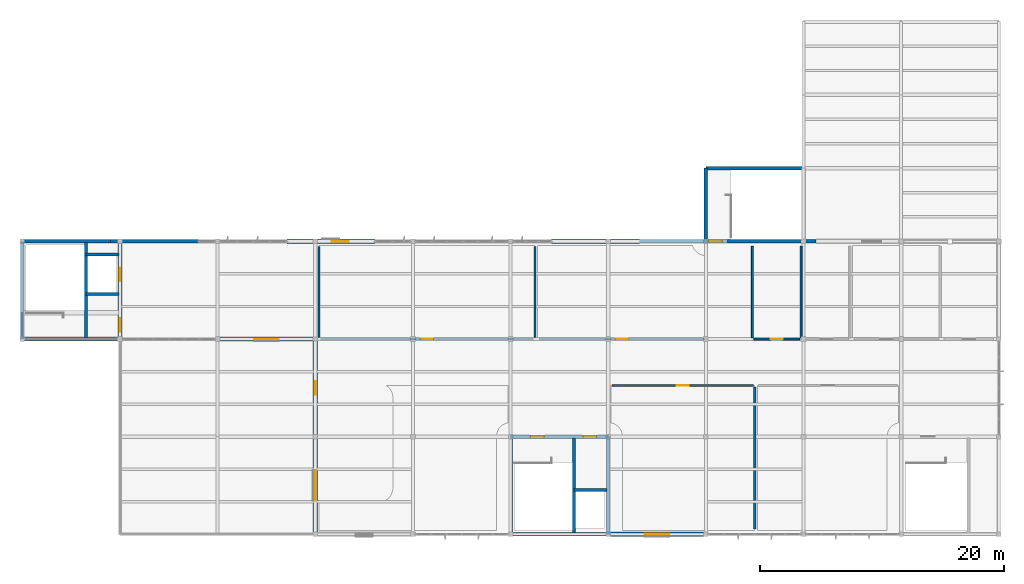
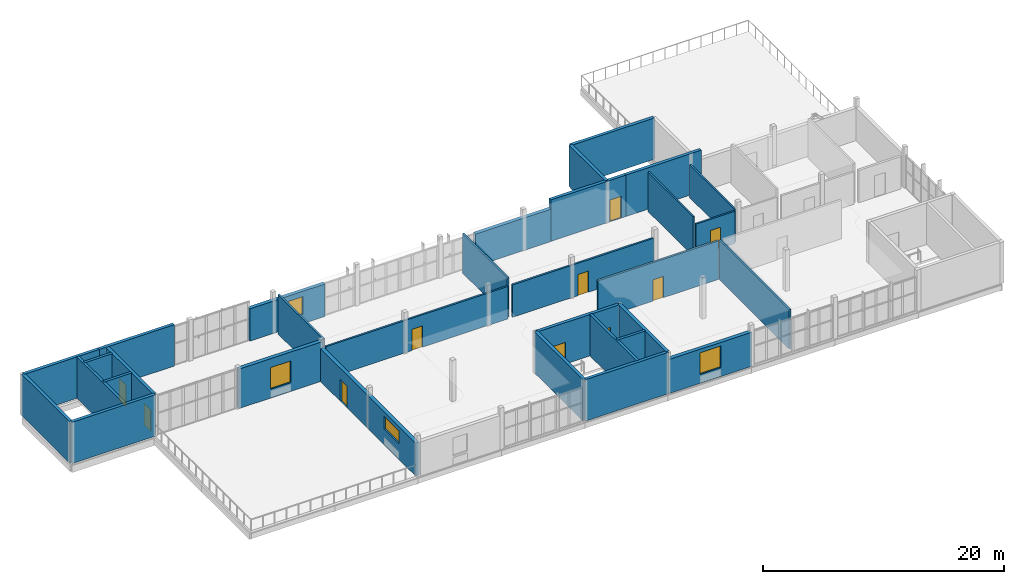
# One storey, part 9 of 15: 33 walls, 10 doors, 4 windows, 14 openings.
"""IFC4 building model written with IfcOpenShell, lengths in metres."""

from ifc_helpers import new_model, si_unit, direction, frame, frame_2d, origin, place, context, subcontext, project, spatial, rectangle, extrude, material, layer, layer_set, type_object, element, fill, save


model = new_model("IFC4")

# Units and contexts
model_context = context("Model", 3, precision=1e-05, world=origin(), true_north=direction((0.0, 1.0)))
body_context = subcontext(model_context, "Body", "Model", "MODEL_VIEW")
ifc_project = project(units=[si_unit("LENGTHUNIT", "METRE"), si_unit("AREAUNIT", "SQUARE_METRE"), si_unit("VOLUMEUNIT", "CUBIC_METRE"), si_unit("PLANEANGLEUNIT", "RADIAN"), si_unit("MASSUNIT", "GRAM", prefix="KILO")], contexts=[model_context])

# Site, building, storey
site_placement = place(None, origin())
site = spatial("IfcSite", under=ifc_project, at=site_placement, CompositionType="ELEMENT")
building_placement = place(site_placement, origin())
building = spatial("IfcBuilding", under=site, at=building_placement, Name="Solvane Community Centre", CompositionType="ELEMENT")
storey_placement = place(building_placement, frame((0.0, 0.0, 18.0)))
storey = spatial("IfcBuildingStorey", under=building, at=storey_placement, Name="L04", CompositionType="ELEMENT", Elevation=18.0)

# Wall, opening, window
ifc_material_1 = material(Name="Precast concrete C35/45", Category="concrete")
ifc_layer_1 = layer(ifc_material_1, 0.35009765625)
ifc_layer_set_1 = layer_set([ifc_layer_1], Name="Precast concrete C35/45")
wall_type_1 = type_object("IfcWallType", Name="Art Deco Limestone Cavity Wall 350mm [72x33dm]", PredefinedType="SOLIDWALL", material=ifc_layer_set_1)
wall_1_placement = place(storey_placement, frame((81.666748046875, 30.0, 0.0), z_axis=(0.0, 0.0, 1.0), x_axis=(1.0, 0.0, 0.0)))
wall_1 = element("IfcWall", 1, at=wall_1_placement, inside=storey, type_object=wall_type_1, Name="Exterior Wall WL-EXT-L04-0165", PredefinedType="SOLIDWALL", context=body_context, shape_type="SweptSolid", body=[
    extrude(rectangle(XDim=7.22216796875, YDim=0.35009765625, at=frame_2d((3.611083984375, 0.0))), origin(), (0.0, 0.0, 1.0), 3.284912109375),
])
opening_1_placement = place(wall_1_placement, frame((3.694091796875, 0.0, 0.949951171875)))
opening_1 = element("IfcOpeningElement", 2, at=opening_1_placement, cuts=wall_1, Name="Opening WN05", PredefinedType="OPENING", context=body_context, shape_type="SweptSolid", body=[
    extrude(rectangle(XDim=1.39990234375, YDim=1.800048828125, at=frame_2d((0.699951171875, 0.89990234375))), frame((0.0, 0.18505859375, 0.0), z_axis=(0.0, -1.0, 0.0), x_axis=(1.0, 0.0, 0.0)), (0.0, 0.0, 1.0), 0.3701171875),
])
ifc_material_2 = material(Name="Tempered low-E double glazing", Category="glass")
window_type_1 = type_object("IfcWindowType", Name="Studio Deep-Reveal Window 1400x1800", PartitioningType="SINGLE_PANEL", PredefinedType="WINDOW", material=ifc_material_2)
window_1_placement = place(opening_1_placement, origin())
window_1 = element("IfcWindow", 3, at=window_1_placement, inside=storey, type_object=window_type_1, Name="L04-W074", OverallHeight=1.800048828125, OverallWidth=1.39990234375, PartitioningType="SINGLE_PANEL", PredefinedType="WINDOW", context=body_context, shape_type="SweptSolid", body=[
    extrude(rectangle(XDim=1.39990234375, YDim=1.800048828125, at=frame_2d((0.699951171875, 0.89990234375))), frame((0.0, 0.030029296875, 0.0), z_axis=(0.0, -1.0, 0.0), x_axis=(1.0, 0.0, 0.0)), (0.0, 0.0, 1.0), 0.06005859375),
])
fill(opening_1, window_1)

# Wall
wall_2_placement = place(storey_placement, frame((103.333251953125, 30.0, 0.0), z_axis=(0.0, 0.0, 1.0), x_axis=(1.0, 0.0, 0.0)))
element("IfcWall", 4, at=wall_2_placement, inside=storey, type_object=wall_type_1, Name="Exterior Wall WL-EXT-L04-0166", PredefinedType="SOLIDWALL", context=body_context, shape_type="SweptSolid", body=[
    extrude(rectangle(XDim=7.222412109375, YDim=0.35009765625, at=frame_2d((3.611328125, 0.0))), origin(), (0.0, 0.0, 1.0), 3.284912109375),
])

# Wall, opening, window
ifc_layer_2 = layer(ifc_material_1, 0.35009765625)
ifc_layer_set_2 = layer_set([ifc_layer_2], Name="Precast concrete C35/45")
wall_type_2 = type_object("IfcWallType", Name="Art Deco Limestone Cavity Wall 350mm [80x33dm]", PredefinedType="SOLIDWALL", material=ifc_layer_set_2)
wall_3_placement = place(storey_placement, frame((84.0, 6.0, 0.0), z_axis=(0.0, 0.0, 1.0), x_axis=(0.0, 1.0, 0.0)))
wall_3 = element("IfcWall", 5, at=wall_3_placement, inside=storey, type_object=wall_type_2, Name="Exterior Wall WL-EXT-L04-0160", PredefinedType="SOLIDWALL", context=body_context, shape_type="SweptSolid", body=[
    extrude(rectangle(XDim=8.0, YDim=0.35009765625, at=frame_2d((4.0, 0.0))), origin(), (0.0, 0.0, 1.0), 3.344970703125),
])
opening_2_placement = place(wall_3_placement, frame((2.75, 0.0, 1.60009765625)))
opening_2 = element("IfcOpeningElement", 6, at=opening_2_placement, cuts=wall_3, Name="Opening WN16", PredefinedType="OPENING", context=body_context, shape_type="SweptSolid", body=[
    extrude(rectangle(XDim=2.5, YDim=1.300048828125, at=frame_2d((1.25, 0.64990234375))), frame((0.0, 0.18505859375, 0.0), z_axis=(0.0, -1.0, 0.0), x_axis=(1.0, 0.0, 0.0)), (0.0, 0.0, 1.0), 0.3701171875),
])
window_type_2 = type_object("IfcWindowType", Name="Cloister Clerestory Window 2500x1300", PartitioningType="DOUBLE_PANEL_VERTICAL", PredefinedType="WINDOW", material=ifc_material_2)
window_2_placement = place(opening_2_placement, origin())
window_2 = element("IfcWindow", 7, at=window_2_placement, inside=storey, type_object=window_type_2, Name="L04-W072", OverallHeight=1.300048828125, OverallWidth=2.5, PartitioningType="DOUBLE_PANEL_VERTICAL", PredefinedType="WINDOW", context=body_context, shape_type="SweptSolid", body=[
    extrude(rectangle(XDim=2.5, YDim=1.300048828125, at=frame_2d((1.25, 0.64990234375))), frame((0.0, 0.030029296875, 0.0), z_axis=(0.0, -1.0, 0.0), x_axis=(1.0, 0.0, 0.0)), (0.0, 0.0, 1.0), 0.06005859375),
])
fill(opening_2, window_2)

# Wall, opening, door
wall_4_placement = place(storey_placement, frame((84.0, 14.0, 0.0), z_axis=(0.0, 0.0, 1.0), x_axis=(0.0, 1.0, 0.0)))
wall_4 = element("IfcWall", 8, at=wall_4_placement, inside=storey, type_object=wall_type_2, Name="Exterior Wall WL-EXT-L04-0161", PredefinedType="SOLIDWALL", context=body_context, shape_type="SweptSolid", body=[
    extrude(rectangle(XDim=8.0, YDim=0.35009765625, at=frame_2d((4.0, 0.0))), origin(), (0.0, 0.0, 1.0), 3.344970703125),
])
opening_3_placement = place(wall_4_placement, frame((3.449951171875, 0.0, 0.0)))
opening_3 = element("IfcOpeningElement", 9, at=opening_3_placement, cuts=wall_4, Name="Opening D04", PredefinedType="OPENING", context=body_context, shape_type="SweptSolid", body=[
    extrude(rectangle(XDim=1.10009765625, YDim=2.199951171875, at=frame_2d((0.550048828125, 1.10009765625))), frame((0.0, 0.18505859375, 0.0), z_axis=(0.0, -1.0, 0.0), x_axis=(1.0, 0.0, 0.0)), (0.0, 0.0, 1.0), 0.3701171875),
])
ifc_material_3 = material(Name="Anodised bronze aluminium AW-6063 T6", Category="aluminium")
door_type_1 = type_object("IfcDoorType", Name="Glazed Terrace Access Door 1100x2200", OperationType="NOTDEFINED", PredefinedType="DOOR", material=ifc_material_3)
door_1_placement = place(opening_3_placement, origin())
door_1 = element("IfcDoor", 10, at=door_1_placement, inside=storey, type_object=door_type_1, Name="L04-ED34", OperationType="SINGLE_SWING_LEFT", OverallHeight=2.199951171875, OverallWidth=1.10009765625, PredefinedType="DOOR", context=body_context, shape_type="SweptSolid", body=[
    extrude(rectangle(XDim=1.10009765625, YDim=2.199951171875, at=frame_2d((0.550048828125, 1.10009765625))), frame((0.0, 0.02490234375, 0.0), z_axis=(0.0, -1.0, 0.0), x_axis=(1.0, 0.0, 0.0)), (0.0, 0.0, 1.0), 0.050048828125),
])
fill(opening_3, door_1)

# Wall, opening, window
ifc_layer_3 = layer(ifc_material_1, 0.35009765625)
ifc_layer_set_3 = layer_set([ifc_layer_3], Name="Precast concrete C35/45")
wall_type_3 = type_object("IfcWallType", Name="Art Deco Limestone Cavity Wall 350mm [80x35dm]", PredefinedType="SOLIDWALL", material=ifc_layer_set_3)
wall_5_placement = place(storey_placement, frame((116.0, 6.0, 0.0), z_axis=(0.0, 0.0, 1.0), x_axis=(-1.0, 0.0, 0.0)))
wall_5 = element("IfcWall", 11, at=wall_5_placement, inside=storey, type_object=wall_type_3, Name="Exterior Wall WL-EXT-L04-0157", PredefinedType="SOLIDWALL", context=body_context, shape_type="SweptSolid", body=[
    extrude(rectangle(XDim=8.0, YDim=0.35009765625, at=frame_2d((4.0, 0.0))), origin(), (0.0, 0.0, 1.0), 3.465087890625),
])
opening_4_placement = place(wall_5_placement, frame((3.0, 0.0, 0.89990234375)))
opening_4 = element("IfcOpeningElement", 12, at=opening_4_placement, cuts=wall_5, Name="Opening WN02", PredefinedType="OPENING", context=body_context, shape_type="SweptSolid", body=[
    extrude(rectangle(XDim=2.0, YDim=2.199951171875, at=frame_2d((1.0, 1.10009765625))), frame((0.0, 0.18505859375, 0.0), z_axis=(0.0, -1.0, 0.0), x_axis=(1.0, 0.0, 0.0)), (0.0, 0.0, 1.0), 0.3701171875),
])
window_type_3 = type_object("IfcWindowType", Name="Classroom Paired Window 2000x2200", PartitioningType="DOUBLE_PANEL_VERTICAL", PredefinedType="WINDOW", material=ifc_material_2)
window_3_placement = place(opening_4_placement, origin())
window_3 = element("IfcWindow", 13, at=window_3_placement, inside=storey, type_object=window_type_3, Name="L04-W070", OverallHeight=2.199951171875, OverallWidth=2.0, PartitioningType="DOUBLE_PANEL_VERTICAL", PredefinedType="WINDOW", context=body_context, shape_type="SweptSolid", body=[
    extrude(rectangle(XDim=2.0, YDim=2.199951171875, at=frame_2d((1.0, 1.10009765625))), frame((0.0, 0.030029296875, 0.0), z_axis=(0.0, -1.0, 0.0), x_axis=(1.0, 0.0, 0.0)), (0.0, 0.0, 1.0), 0.06005859375),
])
fill(opening_4, window_3)

ifc_layer_4 = layer(ifc_material_1, 0.35009765625)
ifc_layer_set_4 = layer_set([ifc_layer_4], Name="Precast concrete C35/45")
wall_type_4 = type_object("IfcWallType", Name="Art Deco Limestone Cavity Wall 350mm [80x40dm]", PredefinedType="SOLIDWALL", material=ifc_layer_set_4)
wall_6_placement = place(storey_placement, frame((84.0, 22.0, 0.0), z_axis=(0.0, 0.0, 1.0), x_axis=(-1.0, 0.0, 0.0)))
wall_6 = element("IfcWall", 14, at=wall_6_placement, inside=storey, type_object=wall_type_4, Name="Exterior Wall WL-EXT-L04-0162", PredefinedType="SOLIDWALL", context=body_context, shape_type="SweptSolid", body=[
    extrude(rectangle(XDim=8.0, YDim=0.35009765625, at=frame_2d((4.0, 0.0))), origin(), (0.0, 0.0, 1.0), 4.0),
])
opening_5_placement = place(wall_6_placement, frame((3.0, 0.0, 0.89990234375)))
opening_5 = element("IfcOpeningElement", 15, at=opening_5_placement, cuts=wall_6, Name="Opening WN02", PredefinedType="OPENING", context=body_context, shape_type="SweptSolid", body=[
    extrude(rectangle(XDim=2.0, YDim=2.199951171875, at=frame_2d((1.0, 1.10009765625))), frame((0.0, 0.18505859375, 0.0), z_axis=(0.0, -1.0, 0.0), x_axis=(1.0, 0.0, 0.0)), (0.0, 0.0, 1.0), 0.3701171875),
])
window_4_placement = place(opening_5_placement, origin())
window_4 = element("IfcWindow", 16, at=window_4_placement, inside=storey, type_object=window_type_3, Name="L04-W073", OverallHeight=2.199951171875, OverallWidth=2.0, PartitioningType="DOUBLE_PANEL_VERTICAL", PredefinedType="WINDOW", context=body_context, shape_type="SweptSolid", body=[
    extrude(rectangle(XDim=2.0, YDim=2.199951171875, at=frame_2d((1.0, 1.10009765625))), frame((0.0, 0.030029296875, 0.0), z_axis=(0.0, -1.0, 0.0), x_axis=(1.0, 0.0, 0.0)), (0.0, 0.0, 1.0), 0.06005859375),
])
fill(opening_5, window_4)

# Wall, opening, door
ifc_material_4 = material(Name="Gypsum board partition")
ifc_layer_5 = layer(ifc_material_4, 0.179931640625)
ifc_layer_set_5 = layer_set([ifc_layer_5], Name="Gypsum board partition")
wall_type_5 = type_object("IfcWallType", Name="Protected Corridor Wall 180mm [116x39dm]", PredefinedType="PARTITIONING", material=ifc_layer_set_5)
wall_7_placement = place(storey_placement, frame((119.8798828125, 18.199951171875, 0.0), z_axis=(0.0, 0.0, 1.0), x_axis=(-1.0, 0.0, 0.0)))
wall_7 = element("IfcWall", 17, at=wall_7_placement, inside=storey, type_object=wall_type_5, Name="Interior Wall WL-INT-L04-0358", PredefinedType="PARTITIONING", context=body_context, shape_type="SweptSolid", body=[
    extrude(rectangle(XDim=11.559814453125, YDim=0.179931640625, at=frame_2d((5.77978515625, 0.0))), origin(), (0.0, 0.0, 1.0), 3.905029296875),
])
opening_6_placement = place(wall_7_placement, frame((5.280029296875, 0.0, 0.0)))
opening_6 = element("IfcOpeningElement", 18, at=opening_6_placement, cuts=wall_7, Name="Opening ID01", PredefinedType="OPENING", context=body_context, shape_type="SweptSolid", body=[
    extrude(rectangle(XDim=1.0, YDim=2.14990234375, at=frame_2d((0.5, 1.074951171875))), frame((0.0, 0.099853515625, 0.0), z_axis=(0.0, -1.0, 0.0), x_axis=(1.0, 0.0, 0.0)), (0.0, 0.0, 1.0), 0.199951171875),
])
door_type_2 = type_object("IfcDoorType", Name="Corridor Rated Classroom Door 1000x2150", OperationType="NOTDEFINED", PredefinedType="DOOR", material=ifc_material_3)
door_2_placement = place(opening_6_placement, origin())
door_2 = element("IfcDoor", 19, at=door_2_placement, inside=storey, type_object=door_type_2, Name="L04-D144", OperationType="SINGLE_SWING_RIGHT", OverallHeight=2.14990234375, OverallWidth=1.0, PredefinedType="DOOR", context=body_context, shape_type="SweptSolid", body=[
    extrude(rectangle(XDim=1.0, YDim=2.14990234375, at=frame_2d((0.5, 1.074951171875))), frame((0.0, 0.02490234375, 0.0), z_axis=(0.0, -1.0, 0.0), x_axis=(1.0, 0.0, 0.0)), (0.0, 0.0, 1.0), 0.050048828125),
])
fill(opening_6, door_2)

# Wall
ifc_layer_6 = layer(ifc_material_4, 0.179931640625)
ifc_layer_set_6 = layer_set([ifc_layer_6], Name="Gypsum board partition")
wall_type_6 = type_object("IfcWallType", Name="Protected Corridor Wall 180mm [117x40dm]", PredefinedType="PARTITIONING", material=ifc_layer_set_6)
wall_8_placement = place(storey_placement, frame((120.0, 6.419921875, 0.0), z_axis=(0.0, 0.0, 1.0), x_axis=(0.0, 1.0, 0.0)))
element("IfcWall", 20, at=wall_8_placement, inside=storey, type_object=wall_type_6, Name="Interior Wall WL-INT-L04-0359", PredefinedType="PARTITIONING", context=body_context, shape_type="SweptSolid", body=[
    extrude(rectangle(XDim=11.66015625, YDim=0.179931640625, at=frame_2d((5.830078125, 0.0))), origin(), (0.0, 0.0, 1.0), 4.0),
])

# Wall, opening, door
ifc_layer_7 = layer(ifc_material_4, 0.179931640625)
ifc_layer_set_7 = layer_set([ifc_layer_7], Name="Gypsum board partition")
wall_type_7 = type_object("IfcWallType", Name="Protected Corridor Wall 180mm [136x33dm]", PredefinedType="PARTITIONING", material=ifc_layer_set_7)
wall_9_placement = place(storey_placement, frame((102.320068359375, 22.0, 0.0), z_axis=(0.0, 0.0, 1.0), x_axis=(1.0, 0.0, 0.0)))
wall_9 = element("IfcWall", 21, at=wall_9_placement, inside=storey, type_object=wall_type_7, Name="Interior Wall WL-INT-L04-0364", PredefinedType="PARTITIONING", context=body_context, shape_type="SweptSolid", body=[
    extrude(rectangle(XDim=13.559814453125, YDim=0.179931640625, at=frame_2d((6.77978515625, 0.0))), origin(), (0.0, 0.0, 1.0), 3.284912109375),
])
opening_7_placement = place(wall_9_placement, frame((6.280029296875, 0.0, 0.0)))
opening_7 = element("IfcOpeningElement", 22, at=opening_7_placement, cuts=wall_9, Name="Opening ID01", PredefinedType="OPENING", context=body_context, shape_type="SweptSolid", body=[
    extrude(rectangle(XDim=1.0, YDim=2.14990234375, at=frame_2d((0.5, 1.074951171875))), frame((0.0, 0.099853515625, 0.0), z_axis=(0.0, -1.0, 0.0), x_axis=(1.0, 0.0, 0.0)), (0.0, 0.0, 1.0), 0.199951171875),
])
door_3_placement = place(opening_7_placement, origin())
door_3 = element("IfcDoor", 23, at=door_3_placement, inside=storey, type_object=door_type_2, Name="L04-D147", OperationType="SINGLE_SWING_LEFT", OverallHeight=2.14990234375, OverallWidth=1.0, PredefinedType="DOOR", context=body_context, shape_type="SweptSolid", body=[
    extrude(rectangle(XDim=1.0, YDim=2.14990234375, at=frame_2d((0.5, 1.074951171875))), frame((0.0, 0.02490234375, 0.0), z_axis=(0.0, -1.0, 0.0), x_axis=(1.0, 0.0, 0.0)), (0.0, 0.0, 1.0), 0.050048828125),
])
fill(opening_7, door_3)

ifc_layer_8 = layer(ifc_material_4, 0.179931640625)
ifc_layer_set_8 = layer_set([ifc_layer_8], Name="Gypsum board partition")
wall_type_8 = type_object("IfcWallType", Name="Protected Corridor Wall 180mm [175x33dm]", PredefinedType="PARTITIONING", material=ifc_layer_set_8)
wall_10_placement = place(storey_placement, frame((84.419921875, 22.0, 0.0), z_axis=(0.0, 0.0, 1.0), x_axis=(1.0, 0.0, 0.0)))
wall_10 = element("IfcWall", 24, at=wall_10_placement, inside=storey, type_object=wall_type_8, Name="Interior Wall WL-INT-L04-0361", PredefinedType="PARTITIONING", context=body_context, shape_type="SweptSolid", body=[
    extrude(rectangle(XDim=17.4599609375, YDim=0.179931640625, at=frame_2d((8.72998046875, 0.0))), origin(), (0.0, 0.0, 1.0), 3.284912109375),
])
opening_8_placement = place(wall_10_placement, frame((8.22998046875, 0.0, 0.0)))
opening_8 = element("IfcOpeningElement", 25, at=opening_8_placement, cuts=wall_10, Name="Opening ID01", PredefinedType="OPENING", context=body_context, shape_type="SweptSolid", body=[
    extrude(rectangle(XDim=1.0, YDim=2.14990234375, at=frame_2d((0.5, 1.074951171875))), frame((0.0, 0.099853515625, 0.0), z_axis=(0.0, -1.0, 0.0), x_axis=(1.0, 0.0, 0.0)), (0.0, 0.0, 1.0), 0.199951171875),
])
door_4_placement = place(opening_8_placement, origin())
door_4 = element("IfcDoor", 26, at=door_4_placement, inside=storey, type_object=door_type_2, Name="L04-D146", OperationType="SINGLE_SWING_RIGHT", OverallHeight=2.14990234375, OverallWidth=1.0, PredefinedType="DOOR", context=body_context, shape_type="SweptSolid", body=[
    extrude(rectangle(XDim=1.0, YDim=2.14990234375, at=frame_2d((0.5, 1.074951171875))), frame((0.0, 0.02490234375, 0.0), z_axis=(0.0, -1.0, 0.0), x_axis=(1.0, 0.0, 0.0)), (0.0, 0.0, 1.0), 0.050048828125),
])
fill(opening_8, door_4)

# Walls
ifc_layer_9 = layer(ifc_material_4, 0.179931640625)
ifc_layer_set_9 = layer_set([ifc_layer_9], Name="Gypsum board partition")
wall_type_9 = type_object("IfcWallType", Name="Protected Corridor Wall 180mm [75x40dm]", PredefinedType="PARTITIONING", material=ifc_layer_set_9)
for number, where, z_axis, x_axis, name in (
    (27, (84.300048828125, 29.580078125, 0.0), (0.0, 0.0, 1.0), (0.0, -1.0, 0.0), "Interior Wall WL-INT-L04-0362"),
    (28, (102.0, 22.1201171875, 0.0), (0.0, 0.0, 1.0), (0.0, 1.0, 0.0), "Interior Wall WL-INT-L04-0363"),
):
    element("IfcWall", number, at=place(storey_placement, frame(where, z_axis=z_axis, x_axis=x_axis)), inside=storey, type_object=wall_type_9, Name=name, PredefinedType="PARTITIONING", context=body_context, shape_type="SweptSolid", body=[
        extrude(rectangle(XDim=7.4599609375, YDim=0.179931640625, at=frame_2d((3.72998046875, 0.0))), origin(), (0.0, 0.0, 1.0), 4.0),
    ])
ifc_material_5 = material(Name="Concrete C35/45", Category="concrete")
ifc_layer_10 = layer(ifc_material_5, 0.300048828125)
ifc_layer_set_10 = layer_set([ifc_layer_10], Name="Concrete C35/45")
wall_type_10 = type_object("IfcWallType", Name="RC Core Shear Wall 300mm [60x42dm]", PredefinedType="SHEAR", material=ifc_layer_set_10)
wall_11_placement = place(storey_placement, frame((116.0, 30.0, 0.0), z_axis=(0.0, 0.0, 1.0), x_axis=(0.0, 1.0, 0.0)))
element("IfcWall", 29, at=wall_11_placement, inside=storey, type_object=wall_type_10, Name="Interior Wall WL-INT-L04-0086", PredefinedType="SHEAR", context=body_context, shape_type="SweptSolid", body=[
    extrude(rectangle(XDim=6.0, YDim=0.300048828125, at=frame_2d((3.0, 0.0))), origin(), (0.0, 0.0, 1.0), 4.199951171875),
])
ifc_layer_11 = layer(ifc_material_5, 0.300048828125)
ifc_layer_set_11 = layer_set([ifc_layer_11], Name="Concrete C35/45")
wall_type_11 = type_object("IfcWallType", Name="RC Core Shear Wall 300mm [80x42dm]", PredefinedType="SHEAR", material=ifc_layer_set_11)
for number, where, z_axis, x_axis, name in (
    (30, (68.0, 22.0, 0.0), (0.0, 0.0, 1.0), (-1.0, 0.0, 0.0), "Interior Wall WL-INT-L04-0023"),
    (31, (60.0, 22.0, 0.0), (0.0, 0.0, 1.0), (0.0, 1.0, 0.0), "Interior Wall WL-INT-L04-0024"),
):
    element("IfcWall", number, at=place(storey_placement, frame(where, z_axis=z_axis, x_axis=x_axis)), inside=storey, type_object=wall_type_11, Name=name, PredefinedType="SHEAR", context=body_context, shape_type="SweptSolid", body=[
        extrude(rectangle(XDim=8.0, YDim=0.300048828125, at=frame_2d((4.0, 0.0))), origin(), (0.0, 0.0, 1.0), 4.199951171875),
    ])

# Wall, openings, doors
wall_12_placement = place(storey_placement, frame((68.0, 30.0, 0.0), z_axis=(0.0, 0.0, 1.0), x_axis=(0.0, -1.0, 0.0)))
wall_12 = element("IfcWall", 32, at=wall_12_placement, inside=storey, type_object=wall_type_11, Name="Interior Wall WL-INT-L04-0025", PredefinedType="SHEAR", context=body_context, shape_type="SweptSolid", body=[
    extrude(rectangle(XDim=8.0, YDim=0.300048828125, at=frame_2d((4.0, 0.0))), origin(), (0.0, 0.0, 1.0), 4.199951171875),
])
opening_9_placement = place(wall_12_placement, frame((6.300048828125, 0.0, 0.0)))
opening_9 = element("IfcOpeningElement", 33, at=opening_9_placement, cuts=wall_12, Name="Opening SD02", PredefinedType="OPENING", context=body_context, shape_type="SweptSolid", body=[
    extrude(rectangle(XDim=1.10009765625, YDim=2.199951171875, at=frame_2d((0.550048828125, 1.10009765625))), frame((0.0, 0.159912109375, 0.0), z_axis=(0.0, -1.0, 0.0), x_axis=(1.0, 0.0, 0.0)), (0.0, 0.0, 1.0), 0.320068359375),
])
opening_10_placement = place(wall_12_placement, frame((2.14990234375, 0.0, 0.0)))
opening_10 = element("IfcOpeningElement", 34, at=opening_10_placement, cuts=wall_12, Name="Opening LD01", PredefinedType="OPENING", context=body_context, shape_type="SweptSolid", body=[
    extrude(rectangle(XDim=1.10009765625, YDim=2.199951171875, at=frame_2d((0.550048828125, 1.10009765625))), frame((0.0, 0.159912109375, 0.0), z_axis=(0.0, -1.0, 0.0), x_axis=(1.0, 0.0, 0.0)), (0.0, 0.0, 1.0), 0.320068359375),
])
door_type_3 = type_object("IfcDoorType", Name="Core Stair Fire Door 1100x2200", OperationType="NOTDEFINED", PredefinedType="DOOR", material=ifc_material_3)
door_5_placement = place(opening_9_placement, origin())
door_5 = element("IfcDoor", 35, at=door_5_placement, inside=storey, type_object=door_type_3, Name="L04-D009", OperationType="SINGLE_SWING_LEFT", OverallHeight=2.199951171875, OverallWidth=1.10009765625, PredefinedType="DOOR", context=body_context, shape_type="SweptSolid", body=[
    extrude(rectangle(XDim=1.10009765625, YDim=2.199951171875, at=frame_2d((0.550048828125, 1.10009765625))), frame((0.0, 0.02490234375, 0.0), z_axis=(0.0, -1.0, 0.0), x_axis=(1.0, 0.0, 0.0)), (0.0, 0.0, 1.0), 0.050048828125),
])
fill(opening_9, door_5)
door_type_4 = type_object("IfcDoorType", Name="Lift Sliding Landing Door 1100x2200", OperationType="NOTDEFINED", PredefinedType="DOOR", material=ifc_material_3)
door_6_placement = place(opening_10_placement, origin())
door_6 = element("IfcDoor", 36, at=door_6_placement, inside=storey, type_object=door_type_4, Name="L04-D010", OperationType="SLIDING_TO_LEFT", OverallHeight=2.199951171875, OverallWidth=1.10009765625, PredefinedType="DOOR", context=body_context, shape_type="SweptSolid", body=[
    extrude(rectangle(XDim=1.10009765625, YDim=2.199951171875, at=frame_2d((0.550048828125, 1.10009765625))), frame((0.0, 0.02490234375, 0.0), z_axis=(0.0, -1.0, 0.0), x_axis=(1.0, 0.0, 0.0)), (0.0, 0.0, 1.0), 0.050048828125),
])
fill(opening_10, door_6)

# Wall
wall_13_placement = place(storey_placement, frame((100.0, 6.0, 0.0), z_axis=(0.0, 0.0, 1.0), x_axis=(0.0, 1.0, 0.0)))
element("IfcWall", 37, at=wall_13_placement, inside=storey, type_object=wall_type_11, Name="Interior Wall WL-INT-L04-0049", PredefinedType="SHEAR", context=body_context, shape_type="SweptSolid", body=[
    extrude(rectangle(XDim=8.0, YDim=0.300048828125, at=frame_2d((4.0, 0.0))), origin(), (0.0, 0.0, 1.0), 4.199951171875),
])

# Wall, openings, doors
wall_14_placement = place(storey_placement, frame((100.0, 14.0, 0.0), z_axis=(0.0, 0.0, 1.0), x_axis=(1.0, 0.0, 0.0)))
wall_14 = element("IfcWall", 38, at=wall_14_placement, inside=storey, type_object=wall_type_11, Name="Interior Wall WL-INT-L04-0050", PredefinedType="SHEAR", context=body_context, shape_type="SweptSolid", body=[
    extrude(rectangle(XDim=8.0, YDim=0.300048828125, at=frame_2d((4.0, 0.0))), origin(), (0.0, 0.0, 1.0), 4.199951171875),
])
opening_11_placement = place(wall_14_placement, frame((1.64990234375, 0.0, 0.0)))
opening_11 = element("IfcOpeningElement", 39, at=opening_11_placement, cuts=wall_14, Name="Opening SD02", PredefinedType="OPENING", context=body_context, shape_type="SweptSolid", body=[
    extrude(rectangle(XDim=1.10009765625, YDim=2.199951171875, at=frame_2d((0.550048828125, 1.10009765625))), frame((0.0, 0.159912109375, 0.0), z_axis=(0.0, -1.0, 0.0), x_axis=(1.0, 0.0, 0.0)), (0.0, 0.0, 1.0), 0.320068359375),
])
opening_12_placement = place(wall_14_placement, frame((5.949951171875, 0.0, 0.0)))
opening_12 = element("IfcOpeningElement", 40, at=opening_12_placement, cuts=wall_14, Name="Opening LD01", PredefinedType="OPENING", context=body_context, shape_type="SweptSolid", body=[
    extrude(rectangle(XDim=1.10009765625, YDim=2.199951171875, at=frame_2d((0.550048828125, 1.10009765625))), frame((0.0, 0.159912109375, 0.0), z_axis=(0.0, -1.0, 0.0), x_axis=(1.0, 0.0, 0.0)), (0.0, 0.0, 1.0), 0.320068359375),
])
door_7_placement = place(opening_11_placement, origin())
door_7 = element("IfcDoor", 41, at=door_7_placement, inside=storey, type_object=door_type_3, Name="L04-D020", OperationType="SINGLE_SWING_LEFT", OverallHeight=2.199951171875, OverallWidth=1.10009765625, PredefinedType="DOOR", context=body_context, shape_type="SweptSolid", body=[
    extrude(rectangle(XDim=1.10009765625, YDim=2.199951171875, at=frame_2d((0.550048828125, 1.10009765625))), frame((0.0, 0.02490234375, 0.0), z_axis=(0.0, -1.0, 0.0), x_axis=(1.0, 0.0, 0.0)), (0.0, 0.0, 1.0), 0.050048828125),
])
fill(opening_11, door_7)
door_8_placement = place(opening_12_placement, origin())
door_8 = element("IfcDoor", 42, at=door_8_placement, inside=storey, type_object=door_type_4, Name="L04-D021", OperationType="SLIDING_TO_LEFT", OverallHeight=2.199951171875, OverallWidth=1.10009765625, PredefinedType="DOOR", context=body_context, shape_type="SweptSolid", body=[
    extrude(rectangle(XDim=1.10009765625, YDim=2.199951171875, at=frame_2d((0.550048828125, 1.10009765625))), frame((0.0, 0.02490234375, 0.0), z_axis=(0.0, -1.0, 0.0), x_axis=(1.0, 0.0, 0.0)), (0.0, 0.0, 1.0), 0.050048828125),
])
fill(opening_12, door_8)

# Walls
for number, where, z_axis, x_axis, name in (
    (43, (108.0, 14.0, 0.0), (0.0, 0.0, 1.0), (0.0, -1.0, 0.0), "Interior Wall WL-INT-L04-0051"),
    (44, (116.0, 36.0, 0.0), (0.0, 0.0, 1.0), (1.0, 0.0, 0.0), "Interior Wall WL-INT-L04-0087"),
):
    element("IfcWall", number, at=place(storey_placement, frame(where, z_axis=z_axis, x_axis=x_axis)), inside=storey, type_object=wall_type_11, Name=name, PredefinedType="SHEAR", context=body_context, shape_type="SweptSolid", body=[
        extrude(rectangle(XDim=8.0, YDim=0.300048828125, at=frame_2d((4.0, 0.0))), origin(), (0.0, 0.0, 1.0), 4.199951171875),
    ])

# Wall, opening, door
ifc_layer_12 = layer(ifc_material_5, 0.300048828125)
ifc_layer_set_12 = layer_set([ifc_layer_12], Name="Concrete C35/45")
wall_type_12 = type_object("IfcWallType", Name="RC Exterior Core Strip Wall 300mm [72x33dm]", PredefinedType="SOLIDWALL", material=ifc_layer_set_12)
wall_15_placement = place(storey_placement, frame((110.5556640625, 30.0, 0.0), z_axis=(0.0, 0.0, 1.0), x_axis=(1.0, 0.0, 0.0)))
wall_15 = element("IfcWall", 45, at=wall_15_placement, inside=storey, type_object=wall_type_12, Name="Exterior Wall WL-EXT-L04-0167", PredefinedType="SOLIDWALL", context=body_context, shape_type="SweptSolid", body=[
    extrude(rectangle(XDim=7.22216796875, YDim=0.300048828125, at=frame_2d((3.611083984375, 0.0))), origin(), (0.0, 0.0, 1.0), 4.199951171875),
])
opening_13_placement = place(wall_15_placement, frame((5.672119140625, 0.0, 0.0)))
opening_13 = element("IfcOpeningElement", 46, at=opening_13_placement, cuts=wall_15, Name="Opening SD02", PredefinedType="OPENING", context=body_context, shape_type="SweptSolid", body=[
    extrude(rectangle(XDim=1.10009765625, YDim=2.199951171875, at=frame_2d((0.550048828125, 1.10009765625))), frame((0.0, 0.159912109375, 0.0), z_axis=(0.0, -1.0, 0.0), x_axis=(1.0, 0.0, 0.0)), (0.0, 0.0, 1.0), 0.320068359375),
])
door_9_placement = place(opening_13_placement, origin())
door_9 = element("IfcDoor", 47, at=door_9_placement, inside=storey, type_object=door_type_3, Name="L04-D032", OperationType="SINGLE_SWING_LEFT", OverallHeight=2.199951171875, OverallWidth=1.10009765625, PredefinedType="DOOR", context=body_context, shape_type="SweptSolid", body=[
    extrude(rectangle(XDim=1.10009765625, YDim=2.199951171875, at=frame_2d((0.550048828125, 1.10009765625))), frame((0.0, 0.02490234375, 0.0), z_axis=(0.0, -1.0, 0.0), x_axis=(1.0, 0.0, 0.0)), (0.0, 0.0, 1.0), 0.050048828125),
])
fill(opening_13, door_9)

# Walls
wall_16_placement = place(storey_placement, frame((117.77783203125, 30.0, 0.0), z_axis=(0.0, 0.0, 1.0), x_axis=(1.0, 0.0, 0.0)))
element("IfcWall", 48, at=wall_16_placement, inside=storey, type_object=wall_type_12, Name="Exterior Wall WL-EXT-L04-0168", PredefinedType="SOLIDWALL", context=body_context, shape_type="SweptSolid", body=[
    extrude(rectangle(XDim=7.22216796875, YDim=0.300048828125, at=frame_2d((3.611083984375, 0.0))), origin(), (0.0, 0.0, 1.0), 4.199951171875),
])
ifc_layer_13 = layer(ifc_material_5, 0.300048828125)
ifc_layer_set_13 = layer_set([ifc_layer_13], Name="Concrete C35/45")
wall_type_13 = type_object("IfcWallType", Name="RC Exterior Core Strip Wall 300mm [72x42dm]", PredefinedType="SOLIDWALL", material=ifc_layer_set_13)
for number, where, z_axis, x_axis, name in (
    (49, (60.0, 30.0, 0.0), (0.0, 0.0, 1.0), (1.0, 0.0, 0.0), "Exterior Wall WL-EXT-L04-0163"),
    (50, (67.22216796875, 30.0, 0.0), (0.0, 0.0, 1.0), (1.0, 0.0, 0.0), "Exterior Wall WL-EXT-L04-0164"),
):
    element("IfcWall", number, at=place(storey_placement, frame(where, z_axis=z_axis, x_axis=x_axis)), inside=storey, type_object=wall_type_13, Name=name, PredefinedType="SOLIDWALL", context=body_context, shape_type="SweptSolid", body=[
        extrude(rectangle(XDim=7.22216796875, YDim=0.300048828125, at=frame_2d((3.611083984375, 0.0))), origin(), (0.0, 0.0, 1.0), 4.199951171875),
    ])
ifc_layer_14 = layer(ifc_material_5, 0.300048828125)
ifc_layer_set_14 = layer_set([ifc_layer_14], Name="Concrete C35/45")
wall_type_14 = type_object("IfcWallType", Name="RC Exterior Core Strip Wall 300mm [80x35dm]", PredefinedType="SOLIDWALL", material=ifc_layer_set_14)
wall_17_placement = place(storey_placement, frame((108.0, 6.0, 0.0), z_axis=(0.0, 0.0, 1.0), x_axis=(-1.0, 0.0, 0.0)))
element("IfcWall", 51, at=wall_17_placement, inside=storey, type_object=wall_type_14, Name="Exterior Wall WL-EXT-L04-0158", PredefinedType="SOLIDWALL", context=body_context, shape_type="SweptSolid", body=[
    extrude(rectangle(XDim=8.0, YDim=0.300048828125, at=frame_2d((4.0, 0.0))), origin(), (0.0, 0.0, 1.0), 4.199951171875),
])
ifc_layer_15 = layer(ifc_material_5, 0.25)
ifc_layer_set_15 = layer_set([ifc_layer_15], Name="Concrete C35/45")
wall_type_15 = type_object("IfcWallType", Name="RC Lift Shaft Wall 250mm [27x42dm]", PredefinedType="SHEAR", material=ifc_layer_set_15)
for number, where, z_axis, x_axis, name in (
    (52, (65.199951171875, 25.679931640625, 0.0), (0.0, 0.0, 1.0), (1.0, 0.0, 0.0), "Interior Wall WL-INT-L04-0027"),
    (53, (65.199951171875, 28.919921875, 0.0), (0.0, 0.0, 1.0), (1.0, 0.0, 0.0), "Interior Wall WL-INT-L04-0028"),
    (54, (105.199951171875, 9.6201171875, 0.0), (0.0, 0.0, 1.0), (1.0, 0.0, 0.0), "Interior Wall WL-INT-L04-0053"),
):
    element("IfcWall", number, at=place(storey_placement, frame(where, z_axis=z_axis, x_axis=x_axis)), inside=storey, type_object=wall_type_15, Name=name, PredefinedType="SHEAR", context=body_context, shape_type="SweptSolid", body=[
        extrude(rectangle(XDim=2.699951171875, YDim=0.25, at=frame_2d((1.35009765625, 0.0))), origin(), (0.0, 0.0, 1.0), 4.199951171875),
    ])
ifc_layer_16 = layer(ifc_material_5, 0.25)
ifc_layer_set_16 = layer_set([ifc_layer_16], Name="Concrete C35/45")
wall_type_16 = type_object("IfcWallType", Name="RC Lift Shaft Wall 250mm [78x42dm]", PredefinedType="SHEAR", material=ifc_layer_set_16)
for number, where, z_axis, x_axis, name in (
    (55, (65.199951171875, 22.10009765625, 0.0), (0.0, 0.0, 1.0), (0.0, 1.0, 0.0), "Interior Wall WL-INT-L04-0026"),
    (56, (105.199951171875, 6.10009765625, 0.0), (0.0, 0.0, 1.0), (0.0, 1.0, 0.0), "Interior Wall WL-INT-L04-0052"),
):
    element("IfcWall", number, at=place(storey_placement, frame(where, z_axis=z_axis, x_axis=x_axis)), inside=storey, type_object=wall_type_16, Name=name, PredefinedType="SHEAR", context=body_context, shape_type="SweptSolid", body=[
        extrude(rectangle(XDim=7.7998046875, YDim=0.25, at=frame_2d((3.89990234375, 0.0))), origin(), (0.0, 0.0, 1.0), 4.199951171875),
    ])

# Wall, opening, door
ifc_layer_17 = layer(ifc_material_4, 0.159912109375)
ifc_layer_set_17 = layer_set([ifc_layer_17], Name="Gypsum board partition")
wall_type_17 = type_object("IfcWallType", Name="Sanitary Plumbing Chase Wall 160mm [38x33dm]", PredefinedType="PLUMBINGWALL", material=ifc_layer_set_17)
wall_18_placement = place(storey_placement, frame((119.919921875, 22.0, 0.0), z_axis=(0.0, 0.0, 1.0), x_axis=(1.0, 0.0, 0.0)))
wall_18 = element("IfcWall", 57, at=wall_18_placement, inside=storey, type_object=wall_type_17, Name="Interior Wall WL-INT-L04-0365", PredefinedType="PLUMBINGWALL", context=body_context, shape_type="SweptSolid", body=[
    extrude(rectangle(XDim=3.760009765625, YDim=0.159912109375, at=frame_2d((1.8798828125, 0.0))), origin(), (0.0, 0.0, 1.0), 3.284912109375),
])
opening_14_placement = place(wall_18_placement, frame((1.405029296875, 0.0, 0.0)))
opening_14 = element("IfcOpeningElement", 58, at=opening_14_placement, cuts=wall_18, Name="Opening ID03", PredefinedType="OPENING", context=body_context, shape_type="SweptSolid", body=[
    extrude(rectangle(XDim=0.949951171875, YDim=2.14990234375, at=frame_2d((0.47509765625, 1.074951171875))), frame((0.0, 0.08984375, 0.0), z_axis=(0.0, -1.0, 0.0), x_axis=(1.0, 0.0, 0.0)), (0.0, 0.0, 1.0), 0.179931640625),
])
door_type_5 = type_object("IfcDoorType", Name="Accessible Sanitary Door 950x2150", OperationType="NOTDEFINED", PredefinedType="DOOR", material=ifc_material_3)
door_10_placement = place(opening_14_placement, origin())
door_10 = element("IfcDoor", 59, at=door_10_placement, inside=storey, type_object=door_type_5, Name="L04-D148", OperationType="SINGLE_SWING_RIGHT", OverallHeight=2.14990234375, OverallWidth=0.949951171875, PredefinedType="DOOR", context=body_context, shape_type="SweptSolid", body=[
    extrude(rectangle(XDim=0.949951171875, YDim=2.14990234375, at=frame_2d((0.47509765625, 1.074951171875))), frame((0.0, 0.02490234375, 0.0), z_axis=(0.0, -1.0, 0.0), x_axis=(1.0, 0.0, 0.0)), (0.0, 0.0, 1.0), 0.050048828125),
])
fill(opening_14, door_10)

# Walls
ifc_layer_18 = layer(ifc_material_4, 0.159912109375)
ifc_layer_set_18 = layer_set([ifc_layer_18], Name="Gypsum board partition")
wall_type_18 = type_object("IfcWallType", Name="Sanitary Plumbing Chase Wall 160mm [75x33dm]", PredefinedType="PLUMBINGWALL", material=ifc_layer_set_18)
wall_19_placement = place(storey_placement, frame((123.800048828125, 22.1201171875, 0.0), z_axis=(0.0, 0.0, 1.0), x_axis=(0.0, 1.0, 0.0)))
element("IfcWall", 60, at=wall_19_placement, inside=storey, type_object=wall_type_18, Name="Interior Wall WL-INT-L04-0367", PredefinedType="PLUMBINGWALL", context=body_context, shape_type="SweptSolid", body=[
    extrude(rectangle(XDim=7.4599609375, YDim=0.159912109375, at=frame_2d((3.72998046875, 0.0))), origin(), (0.0, 0.0, 1.0), 3.344970703125),
])
ifc_layer_19 = layer(ifc_material_4, 0.159912109375)
ifc_layer_set_19 = layer_set([ifc_layer_19], Name="Gypsum board partition")
wall_type_19 = type_object("IfcWallType", Name="Sanitary Plumbing Chase Wall 160mm [75x40dm]", PredefinedType="PLUMBINGWALL", material=ifc_layer_set_19)
wall_20_placement = place(storey_placement, frame((119.800048828125, 29.580078125, 0.0), z_axis=(0.0, 0.0, 1.0), x_axis=(0.0, -1.0, 0.0)))
element("IfcWall", 61, at=wall_20_placement, inside=storey, type_object=wall_type_19, Name="Interior Wall WL-INT-L04-0366", PredefinedType="PLUMBINGWALL", context=body_context, shape_type="SweptSolid", body=[
    extrude(rectangle(XDim=7.4599609375, YDim=0.159912109375, at=frame_2d((3.72998046875, 0.0))), origin(), (0.0, 0.0, 1.0), 4.0),
])

save(model, "model.ifc")
